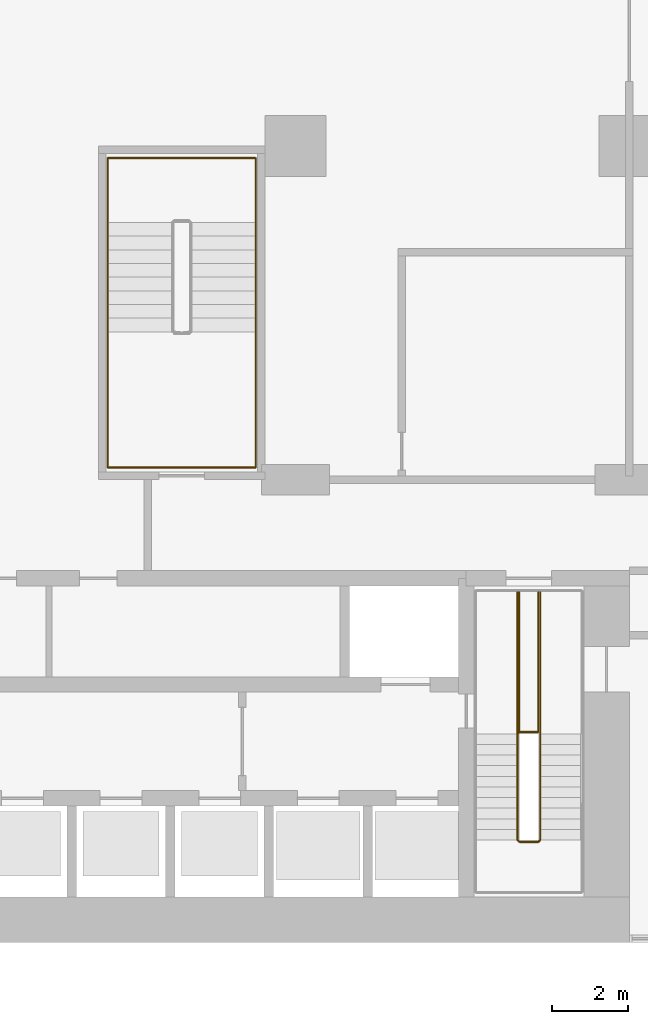
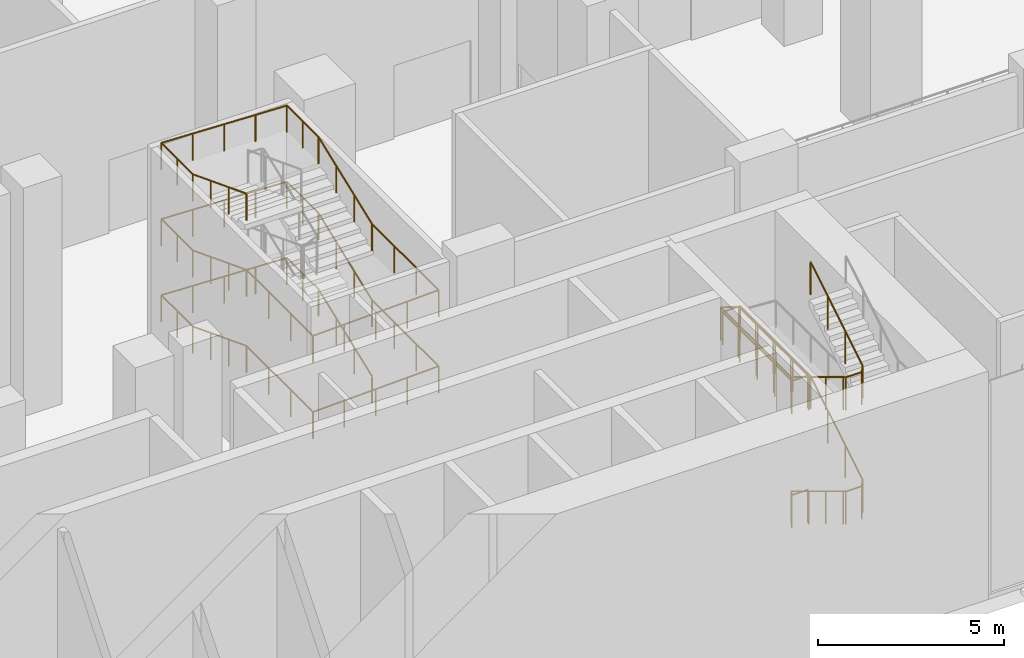
# One storey, part 33 of 41: 2 railings.
"""IFC4 building model written with IfcOpenShell, lengths in metres."""

import ifcopenshell
import ifcopenshell.guid

model = None  # the IFC model being written
_history = None  # IfcOwnerHistory: only IFC2X3 demands one
_inside = {}  # id of a spatial element -> (the spatial element, [elements in it])
_under = {}  # id of a project, library or spatial element -> (it, [spatial elements below it])
_declared = {}  # id of a project -> (the project, [libraries it declares])
_typed = {}  # id of a type object -> (the type object, [elements of that type])
_made_of = {}  # id of a material, layer set ... -> (it, [elements and type objects made of it])


def new_model(schema):
    """Start an empty IFC model of exactly this schema.

    Asked for "IFC4X3", IfcOpenShell would pick the latest addendum, in which some entities
    have other attributes; the version numbers below select the first issue.
    IFC2X3 requires an IfcOwnerHistory on every rooted entity: one is made here for all.
    """
    global model, _history
    if schema == "IFC4X3":
        model = ifcopenshell.file(schema_version=(4, 3, 0, 0))
    else:
        model = ifcopenshell.file(schema=schema)
    _inside.clear()
    _under.clear()
    _declared.clear()
    _typed.clear()
    _made_of.clear()
    _history = None
    if model.schema == "IFC2X3":
        org = make("IfcOrganization", Name="unknown")
        user = make(
            "IfcPersonAndOrganization",
            ThePerson=make("IfcPerson", FamilyName="unknown"),
            TheOrganization=org,
        )
        app = make(
            "IfcApplication",
            ApplicationDeveloper=org,
            Version="unknown",
            ApplicationFullName="unknown",
            ApplicationIdentifier="unknown",
        )
        _history = make(
            "IfcOwnerHistory",
            OwningUser=user,
            OwningApplication=app,
            ChangeAction="ADDED",
            CreationDate=0,
        )
    return model


def make(cls, **values):
    """One entity of the class cls with the attributes given. An attribute that is None is left unset."""
    return model.create_entity(
        cls, **{name: value for name, value in values.items() if value is not None}
    )


def rooted(cls, **values):
    """An entity with a GlobalId (a new one), such as an element, a storey or a relation."""
    return make(cls, GlobalId=ifcopenshell.guid.new(), OwnerHistory=_history, **values)


def si_unit(unit_type, name, prefix=None):
    """IfcSIUnit, for example si_unit("LENGTHUNIT", "METRE", prefix="MILLI")."""
    return make("IfcSIUnit", UnitType=unit_type, Prefix=prefix, Name=name)


def assignment(units):
    """IfcUnitAssignment: the units of a project."""
    return None if units is None else make("IfcUnitAssignment", Units=units)


def point(xyz):
    """IfcCartesianPoint."""
    return None if xyz is None else make("IfcCartesianPoint", Coordinates=xyz)


def direction(xyz):
    """IfcDirection."""
    return None if xyz is None else make("IfcDirection", DirectionRatios=xyz)


def frame(location, z_axis=None, x_axis=None):
    """IfcAxis2Placement3D, a coordinate frame: its origin and axes. An axis left out is left unset."""
    return make(
        "IfcAxis2Placement3D",
        Location=point(location),
        Axis=direction(z_axis),
        RefDirection=direction(x_axis),
    )


def frame_2d(location, x_axis=None):
    """IfcAxis2Placement2D, a coordinate frame in the plane: its origin and x axis."""
    return make(
        "IfcAxis2Placement2D", Location=point(location), RefDirection=direction(x_axis)
    )


def origin():
    """The frame at (0, 0, 0) with its axes left unset."""
    return frame((0.0, 0.0, 0.0))


def origin_2d():
    """The frame at (0, 0) in the plane with its x axis left unset."""
    return frame_2d((0.0, 0.0))


def place(relative_to, where):
    """IfcLocalPlacement: puts the frame where relative to a parent placement (None: the world)."""
    return make(
        "IfcLocalPlacement", PlacementRelTo=relative_to, RelativePlacement=where
    )


def context(
    kind, dimensions, precision=None, world=None, true_north=None, identifier=None
):
    """IfcGeometricRepresentationContext, for example the 3D "Model" context."""
    return make(
        "IfcGeometricRepresentationContext",
        ContextIdentifier=identifier,
        ContextType=kind,
        CoordinateSpaceDimension=dimensions,
        Precision=precision,
        WorldCoordinateSystem=world,
        TrueNorth=true_north,
    )


def subcontext(parent, identifier, kind, view, scale=None):
    """IfcGeometricRepresentationSubContext, for example "Body" below "Model"."""
    return make(
        "IfcGeometricRepresentationSubContext",
        ContextIdentifier=identifier,
        ContextType=kind,
        ParentContext=parent,
        TargetScale=scale,
        TargetView=view,
    )


def project(units=None, contexts=None):
    """IfcProject with its units and contexts."""
    return rooted(
        "IfcProject",
        Name="project",
        RepresentationContexts=contexts,
        UnitsInContext=assignment(units),
    )


def spatial(cls, under=None, at=None, **own):
    """A site, building, storey or space (cls), placed at a placement, below another one or the project."""
    s = rooted(cls, ObjectPlacement=at, **own)
    if under is not None:
        _under.setdefault(under.id(), (under, []))[1].append(s)
    return s


def profile(cls, at=None, kind="AREA", **sizes):
    """A parametric profile (cls). Its sizes go by their IFC names, for example OverallWidth=200.0."""
    return make(cls, ProfileType=kind, Position=at, **sizes)


def circle(**sizes):
    """IfcCircleProfileDef."""
    return profile("IfcCircleProfileDef", **sizes)


def extrude(swept, where, along, depth):
    """IfcExtrudedAreaSolid: the profile swept, set in the frame where, extruded along a direction by depth."""
    return make(
        "IfcExtrudedAreaSolid",
        SweptArea=swept,
        Position=where,
        ExtrudedDirection=direction(along),
        Depth=depth,
    )


def shape(context_of_items, identifier, shape_type, items):
    """IfcShapeRepresentation: the items that make up one representation, for example the "Body"."""
    return make(
        "IfcShapeRepresentation",
        ContextOfItems=context_of_items,
        RepresentationIdentifier=identifier,
        RepresentationType=shape_type,
        Items=items,
    )


def material(Name=None, Category=None):
    """IfcMaterial."""
    return make("IfcMaterial", Name=Name, Category=Category)


def made_of(thing, what):
    """Note that an element or type object is made of a material, layer set ...; save() writes the relation."""
    if what is not None:
        _made_of.setdefault(what.id(), (what, []))[1].append(thing)
    return thing


def type_object(cls, material=None, **own):
    """A type object (cls), such as IfcWallType, which elements share."""
    return made_of(rooted(cls, **own), material)


def element(
    cls,
    number,
    at=None,
    inside=None,
    cuts=None,
    type_object=None,
    material=None,
    context=None,
    identifier="Body",
    shape_type=None,
    held_by="IfcProductDefinitionShape",
    body=None,
    shapes=None,
    **own,
):
    """One element of the class cls, such as IfcWall. Its Tag is "e" and its number.

    at: its placement. inside: the storey or other place that contains it. cuts: it is an
    opening in that element (IfcRelVoidsElement). A single representation is given by context,
    identifier, shape_type and body (its items); several are given by shapes. held_by: the class
    of the entity that holds the representations. save() writes the other relations.
    """
    e = rooted(cls, Tag="e%d" % number, ObjectPlacement=at, **own)
    if body is not None:
        shapes = [shape(context, identifier, shape_type, body)]
    if shapes is not None:
        e.Representation = make(held_by, Representations=shapes)
    if inside is not None:
        _inside.setdefault(inside.id(), (inside, []))[1].append(e)
    if cuts is not None:
        rooted(
            "IfcRelVoidsElement", RelatingBuildingElement=cuts, RelatedOpeningElement=e
        )
    if type_object is not None:
        _typed.setdefault(type_object.id(), (type_object, []))[1].append(e)
    return made_of(e, material)


def aggregate(whole, parts):
    """IfcRelAggregates: a whole, such as a stair, and the parts it consists of."""
    return rooted("IfcRelAggregates", RelatingObject=whole, RelatedObjects=parts)


def save(model, path):
    """Write the relations noted so far, then the file.

    IfcRelAggregates (storeys below a building ...), IfcRelContainedInSpatialStructure (elements
    in a storey), IfcRelDefinesByType, IfcRelAssociatesMaterial and IfcRelDeclares: one each for
    every whole, place, type object, material and project.
    """
    for whole, parts in _under.values():
        aggregate(whole, parts)
    for where, things in _inside.values():
        rooted(
            "IfcRelContainedInSpatialStructure",
            RelatedElements=things,
            RelatingStructure=where,
        )
    for kind, things in _typed.values():
        rooted("IfcRelDefinesByType", RelatedObjects=things, RelatingType=kind)
    for what, things in _made_of.values():
        rooted("IfcRelAssociatesMaterial", RelatedObjects=things, RelatingMaterial=what)
    for by, libraries in _declared.values():
        rooted("IfcRelDeclares", RelatingContext=by, RelatedDefinitions=libraries)
    model.write(path)


model = new_model("IFC4")

# Units and contexts
model_context = context("Model", 3, precision=1e-05, world=origin(), true_north=direction((0.0, 1.0)))
body_context = subcontext(model_context, "Body", "Model", "MODEL_VIEW")
ifc_project = project(units=[si_unit("LENGTHUNIT", "METRE"), si_unit("AREAUNIT", "SQUARE_METRE"), si_unit("VOLUMEUNIT", "CUBIC_METRE"), si_unit("PLANEANGLEUNIT", "RADIAN"), si_unit("MASSUNIT", "GRAM", prefix="KILO")], contexts=[model_context])

# Site, building, storey
site_placement = place(None, origin())
site = spatial("IfcSite", under=ifc_project, at=site_placement, CompositionType="ELEMENT")
building_placement = place(site_placement, origin())
building = spatial("IfcBuilding", under=site, at=building_placement, Name="Kemantara Hotel Tower", CompositionType="ELEMENT")
storey_placement = place(building_placement, origin())
storey = spatial("IfcBuildingStorey", under=building, at=storey_placement, Name="L00", CompositionType="ELEMENT", Elevation=0.0)

# Railings
ifc_material = material(Name="Stainless steel balustrade", Category="steel")
railing_type_1 = type_object("IfcRailingType", Name="Stair guard 1100 mm", PredefinedType="GUARDRAIL", material=ifc_material)
railing_1_placement = place(storey_placement, frame((42.64990234375, 5.5, 7.5)))
element("IfcRailing", 1, at=railing_1_placement, inside=storey, type_object=railing_type_1, Name="L00 ST2 stair guard 1", PredefinedType="GUARDRAIL", context=body_context, shape_type="SweptSolid", body=[
    extrude(circle(Radius=0.02392578125, at=origin_2d()), frame((0.0, 0.0, 1.076171875), z_axis=(0.0, -0.854169791009, -0.51999420009), x_axis=(1.0, 0.0, 0.0)), (0.0, 0.0, 1.0), 3.278076171875),
    extrude(circle(Radius=0.02392578125, at=origin_2d()), frame((0.0, -2.800048828125, -0.62841796875), z_axis=(-0.270004540015, -0.271328091682, -0.923839063385), x_axis=(0.708833529934, -0.705375805398, 0.0)), (0.0, 0.0, 1.0), 0.1845703125),
    extrude(circle(Radius=0.02392578125, at=origin_2d()), frame((-0.0498046875, -2.85009765625, -0.798828125), z_axis=(-1.0, 0.0, 0.0), x_axis=(0.0, -1.0, 0.0)), (0.0, 0.0, 1.0), 0.5),
    extrude(circle(Radius=0.02392578125, at=origin_2d()), frame((-0.5498046875, -2.85009765625, -0.798828125), z_axis=(-0.707106781187, 0.707106781187, 0.0), x_axis=(-0.707106781187, -0.707106781187, 0.0)), (0.0, 0.0, 1.0), 0.07080078125),
    extrude(circle(Radius=0.02392578125, at=origin_2d()), frame((-0.599853515625, -2.800048828125, -0.798828125), z_axis=(0.0, 0.854169791009, -0.51999420009), x_axis=(-1.0, 0.0, 0.0)), (0.0, 0.0, 1.0), 3.278076171875),
    extrude(circle(Radius=0.02392578125, at=origin_2d()), frame((-0.599853515625, 0.0, -2.50341796875), z_axis=(0.0, 1.0, 0.0), x_axis=(-1.0, 0.0, 0.0)), (0.0, 0.0, 1.0), 3.780029296875),
    extrude(circle(Radius=0.02392578125, at=origin_2d()), frame((-0.599853515625, 3.780029296875, -2.50341796875), z_axis=(0.955208872194, 0.0, -0.295932442429), x_axis=(0.0, 1.0, 0.0)), (0.0, 0.0, 1.0), 0.575927734375),
    extrude(circle(Radius=0.02392578125, at=origin_2d()), frame((-0.0498046875, 3.780029296875, -2.673828125), z_axis=(0.0, -1.0, 0.0), x_axis=(1.0, 0.0, 0.0)), (0.0, 0.0, 1.0), 3.72998046875),
    extrude(circle(Radius=0.02392578125, at=origin_2d()), frame((-0.0498046875, 0.050048828125, -2.673828125), z_axis=(-1.0, 0.0, 0.0), x_axis=(0.0, -1.0, 0.0)), (0.0, 0.0, 1.0), 0.5),
    extrude(circle(Radius=0.02392578125, at=origin_2d()), frame((-0.5498046875, 0.050048828125, -2.673828125), z_axis=(0.0, 1.0, 0.0), x_axis=(-1.0, 0.0, 0.0)), (0.0, 0.0, 1.0), 3.72998046875),
    extrude(circle(Radius=0.02392578125, at=origin_2d()), frame((-0.5498046875, 3.780029296875, -2.673828125), z_axis=(1.0, 0.0, 0.0), x_axis=(0.0, 1.0, 0.0)), (0.0, 0.0, 1.0), 0.5498046875),
    extrude(circle(Radius=0.02392578125, at=origin_2d()), frame((0.0, 3.780029296875, -2.673828125), z_axis=(0.0, -1.0, 0.0), x_axis=(1.0, 0.0, 0.0)), (0.0, 0.0, 1.0), 3.780029296875),
    extrude(circle(Radius=0.02392578125, at=origin_2d()), frame((0.0, 0.0, -2.673828125), z_axis=(0.0, -0.854169791009, -0.51999420009), x_axis=(1.0, 0.0, 0.0)), (0.0, 0.0, 1.0), 3.278076171875),
    extrude(circle(Radius=0.02392578125, at=origin_2d()), frame((0.0, -2.800048828125, -4.37841796875), z_axis=(-0.270004540015, -0.271328091682, -0.923839063385), x_axis=(0.708833529934, -0.705375805398, 0.0)), (0.0, 0.0, 1.0), 0.1845703125),
    extrude(circle(Radius=0.02392578125, at=origin_2d()), frame((-0.0498046875, -2.85009765625, -4.548828125), z_axis=(-1.0, 0.0, 0.0), x_axis=(0.0, -1.0, 0.0)), (0.0, 0.0, 1.0), 0.5),
    extrude(circle(Radius=0.02392578125, at=origin_2d()), frame((-0.5498046875, -2.85009765625, -4.548828125), z_axis=(-0.707106781187, 0.707106781187, 0.0), x_axis=(-0.707106781187, -0.707106781187, 0.0)), (0.0, 0.0, 1.0), 0.07080078125),
    extrude(circle(Radius=0.02392578125, at=origin_2d()), frame((-0.599853515625, -2.800048828125, -4.548828125), z_axis=(0.0, 0.854169791009, -0.51999420009), x_axis=(-1.0, 0.0, 0.0)), (0.0, 0.0, 1.0), 3.278076171875),
    extrude(circle(Radius=0.02392578125, at=origin_2d()), frame((-0.599853515625, 0.0, -6.25341796875), z_axis=(0.271230943075, 0.271230943075, -0.923508284228), x_axis=(-0.707106781187, 0.707106781187, 0.0)), (0.0, 0.0, 1.0), 0.1845703125),
    extrude(circle(Radius=0.02392578125, at=origin_2d()), frame((-0.5498046875, 0.050048828125, -6.423828125), z_axis=(1.0, 0.0, 0.0), x_axis=(0.0, 1.0, 0.0)), (0.0, 0.0, 1.0), 0.5),
    extrude(circle(Radius=0.02099609375, at=origin_2d()), origin(), (0.0, 0.0, 1.0), 1.052001953125),
    extrude(circle(Radius=0.02099609375, at=origin_2d()), frame((0.0, -0.933349609375, -0.568115234375)), (0.0, 0.0, 1.0), 1.052001953125),
    extrude(circle(Radius=0.02099609375, at=origin_2d()), frame((0.0, -1.86669921875, -1.136474609375)), (0.0, 0.0, 1.0), 1.052001953125),
    extrude(circle(Radius=0.02099609375, at=origin_2d()), frame((0.0, -2.800048828125, -1.70458984375)), (0.0, 0.0, 1.0), 1.052001953125),
    extrude(circle(Radius=0.02099609375, at=origin_2d()), frame((-0.0498046875, -2.85009765625, -1.875)), (0.0, 0.0, 1.0), 1.052001953125),
    extrude(circle(Radius=0.02099609375, at=origin_2d()), frame((-0.5498046875, -2.85009765625, -1.875)), (0.0, 0.0, 1.0), 1.052001953125),
    extrude(circle(Radius=0.02099609375, at=origin_2d()), frame((-0.599853515625, -2.800048828125, -1.875)), (0.0, 0.0, 1.0), 1.052001953125),
    extrude(circle(Radius=0.02099609375, at=origin_2d()), frame((-0.599853515625, -1.86669921875, -2.443115234375)), (0.0, 0.0, 1.0), 1.052001953125),
    extrude(circle(Radius=0.02099609375, at=origin_2d()), frame((-0.599853515625, -0.933349609375, -3.011474609375)), (0.0, 0.0, 1.0), 1.052001953125),
    extrude(circle(Radius=0.02099609375, at=origin_2d()), frame((-0.599853515625, 0.0, -3.57958984375)), (0.0, 0.0, 1.0), 1.052001953125),
    extrude(circle(Radius=0.02099609375, at=origin_2d()), frame((-0.599853515625, 0.945068359375, -3.57958984375)), (0.0, 0.0, 1.0), 1.052001953125),
    extrude(circle(Radius=0.02099609375, at=origin_2d()), frame((-0.599853515625, 1.89013671875, -3.57958984375)), (0.0, 0.0, 1.0), 1.052001953125),
    extrude(circle(Radius=0.02099609375, at=origin_2d()), frame((-0.599853515625, 2.8349609375, -3.57958984375)), (0.0, 0.0, 1.0), 1.052001953125),
    extrude(circle(Radius=0.02099609375, at=origin_2d()), frame((-0.599853515625, 3.780029296875, -3.57958984375)), (0.0, 0.0, 1.0), 1.052001953125),
    extrude(circle(Radius=0.02099609375, at=origin_2d()), frame((-0.0498046875, 3.780029296875, -3.75)), (0.0, 0.0, 1.0), 1.052001953125),
    extrude(circle(Radius=0.02099609375, at=origin_2d()), frame((-0.0498046875, 2.84765625, -3.75)), (0.0, 0.0, 1.0), 1.052001953125),
    extrude(circle(Radius=0.02099609375, at=origin_2d()), frame((-0.0498046875, 1.9150390625, -3.75)), (0.0, 0.0, 1.0), 1.052001953125),
    extrude(circle(Radius=0.02099609375, at=origin_2d()), frame((-0.0498046875, 0.982421875, -3.75)), (0.0, 0.0, 1.0), 1.052001953125),
    extrude(circle(Radius=0.02099609375, at=origin_2d()), frame((-0.0498046875, 0.050048828125, -3.75)), (0.0, 0.0, 1.0), 1.052001953125),
    extrude(circle(Radius=0.02099609375, at=origin_2d()), frame((-0.5498046875, 0.050048828125, -3.75)), (0.0, 0.0, 1.0), 1.052001953125),
    extrude(circle(Radius=0.02099609375, at=origin_2d()), frame((-0.5498046875, 0.982421875, -3.75)), (0.0, 0.0, 1.0), 1.052001953125),
    extrude(circle(Radius=0.02099609375, at=origin_2d()), frame((-0.5498046875, 1.9150390625, -3.75)), (0.0, 0.0, 1.0), 1.052001953125),
    extrude(circle(Radius=0.02099609375, at=origin_2d()), frame((-0.5498046875, 2.84765625, -3.75)), (0.0, 0.0, 1.0), 1.052001953125),
    extrude(circle(Radius=0.02099609375, at=origin_2d()), frame((-0.5498046875, 3.780029296875, -3.75)), (0.0, 0.0, 1.0), 1.052001953125),
    extrude(circle(Radius=0.02099609375, at=origin_2d()), frame((0.0, 3.780029296875, -3.75)), (0.0, 0.0, 1.0), 1.052001953125),
    extrude(circle(Radius=0.02099609375, at=origin_2d()), frame((0.0, 2.8349609375, -3.75)), (0.0, 0.0, 1.0), 1.052001953125),
    extrude(circle(Radius=0.02099609375, at=origin_2d()), frame((0.0, 1.89013671875, -3.75)), (0.0, 0.0, 1.0), 1.052001953125),
    extrude(circle(Radius=0.02099609375, at=origin_2d()), frame((0.0, 0.945068359375, -3.75)), (0.0, 0.0, 1.0), 1.052001953125),
    extrude(circle(Radius=0.02099609375, at=origin_2d()), frame((0.0, 0.0, -3.75)), (0.0, 0.0, 1.0), 1.052001953125),
    extrude(circle(Radius=0.02099609375, at=origin_2d()), frame((0.0, -0.933349609375, -4.318115234375)), (0.0, 0.0, 1.0), 1.052001953125),
    extrude(circle(Radius=0.02099609375, at=origin_2d()), frame((0.0, -1.86669921875, -4.886474609375)), (0.0, 0.0, 1.0), 1.052001953125),
    extrude(circle(Radius=0.02099609375, at=origin_2d()), frame((0.0, -2.800048828125, -5.45458984375)), (0.0, 0.0, 1.0), 1.052001953125),
    extrude(circle(Radius=0.02099609375, at=origin_2d()), frame((-0.0498046875, -2.85009765625, -5.625)), (0.0, 0.0, 1.0), 1.052001953125),
    extrude(circle(Radius=0.02099609375, at=origin_2d()), frame((-0.5498046875, -2.85009765625, -5.625)), (0.0, 0.0, 1.0), 1.052001953125),
    extrude(circle(Radius=0.02099609375, at=origin_2d()), frame((-0.599853515625, -2.800048828125, -5.625)), (0.0, 0.0, 1.0), 1.052001953125),
    extrude(circle(Radius=0.02099609375, at=origin_2d()), frame((-0.599853515625, -1.86669921875, -6.193115234375)), (0.0, 0.0, 1.0), 1.052001953125),
    extrude(circle(Radius=0.02099609375, at=origin_2d()), frame((-0.599853515625, -0.933349609375, -6.761474609375)), (0.0, 0.0, 1.0), 1.052001953125),
    extrude(circle(Radius=0.02099609375, at=origin_2d()), frame((-0.599853515625, 0.0, -7.32958984375)), (0.0, 0.0, 1.0), 1.052001953125),
    extrude(circle(Radius=0.02099609375, at=origin_2d()), frame((-0.5498046875, 0.050048828125, -7.5)), (0.0, 0.0, 1.0), 1.052001953125),
    extrude(circle(Radius=0.02099609375, at=origin_2d()), frame((-0.0498046875, 0.050048828125, -7.5)), (0.0, 0.0, 1.0), 1.052001953125),
])
railing_type_2 = type_object("IfcRailingType", Name="Stair handrail 900 mm", PredefinedType="HANDRAIL", material=ifc_material)
railing_2_placement = place(storey_placement, frame((35.14990234375, 16.10009765625, 0.138916015625)))
element("IfcRailing", 2, at=railing_2_placement, inside=storey, type_object=railing_type_2, Name="L00 PS3 stair handrail 1", PredefinedType="HANDRAIL", context=body_context, shape_type="SweptSolid", body=[
    extrude(circle(Radius=0.02392578125, at=origin_2d()), frame((0.0, 0.0, 0.8759765625), z_axis=(0.0, 0.932972064118, 0.359948784656), x_axis=(-1.0, 0.0, 0.0)), (0.0, 0.0, 1.0), 3.086669921875),
    extrude(circle(Radius=0.02392578125, at=origin_2d()), frame((0.0, 2.8798828125, 1.98681640625), z_axis=(0.0, 1.0, 0.0), x_axis=(-1.0, 0.0, 0.0)), (0.0, 0.0, 1.0), 1.699951171875),
    extrude(circle(Radius=0.02392578125, at=origin_2d()), frame((0.0, 4.579833984375, 1.98681640625), z_axis=(-0.999366197222, 0.0, 0.035597806825), x_axis=(0.0, -1.0, 0.0)), (0.0, 0.0, 1.0), 3.90234375),
    extrude(circle(Radius=0.02392578125, at=origin_2d()), frame((-3.89990234375, 4.579833984375, 2.1259765625), z_axis=(0.0, -1.0, 0.0), x_axis=(1.0, 0.0, 0.0)), (0.0, 0.0, 1.0), 1.699951171875),
    extrude(circle(Radius=0.02392578125, at=origin_2d()), frame((-3.89990234375, 2.8798828125, 2.1259765625), z_axis=(0.0, -0.932972064118, 0.359948784656), x_axis=(1.0, 0.0, 0.0)), (0.0, 0.0, 1.0), 3.086669921875),
    extrude(circle(Radius=0.02392578125, at=origin_2d()), frame((-3.89990234375, 0.0, 3.23681640625), z_axis=(0.0, -1.0, 0.0), x_axis=(1.0, 0.0, 0.0)), (0.0, 0.0, 1.0), 3.580078125),
    extrude(circle(Radius=0.02392578125, at=origin_2d()), frame((-3.89990234375, -3.580078125, 3.23681640625), z_axis=(0.999366197222, 0.0, 0.035597806825), x_axis=(0.0, 1.0, 0.0)), (0.0, 0.0, 1.0), 3.90234375),
    extrude(circle(Radius=0.02392578125, at=origin_2d()), frame((0.0, -3.580078125, 3.3759765625), z_axis=(0.0, 1.0, 0.0), x_axis=(-1.0, 0.0, 0.0)), (0.0, 0.0, 1.0), 3.580078125),
    extrude(circle(Radius=0.02392578125, at=origin_2d()), frame((0.0, 0.0, 3.3759765625), z_axis=(0.0, 0.932972064118, 0.359948784656), x_axis=(-1.0, 0.0, 0.0)), (0.0, 0.0, 1.0), 3.086669921875),
    extrude(circle(Radius=0.02392578125, at=origin_2d()), frame((0.0, 2.8798828125, 4.48681640625), z_axis=(0.0, 1.0, 0.0), x_axis=(-1.0, 0.0, 0.0)), (0.0, 0.0, 1.0), 1.699951171875),
    extrude(circle(Radius=0.02392578125, at=origin_2d()), frame((0.0, 4.579833984375, 4.48681640625), z_axis=(-0.999366197222, 0.0, 0.035597806825), x_axis=(0.0, -1.0, 0.0)), (0.0, 0.0, 1.0), 3.90234375),
    extrude(circle(Radius=0.02392578125, at=origin_2d()), frame((-3.89990234375, 4.579833984375, 4.6259765625), z_axis=(0.0, -1.0, 0.0), x_axis=(1.0, 0.0, 0.0)), (0.0, 0.0, 1.0), 1.699951171875),
    extrude(circle(Radius=0.02392578125, at=origin_2d()), frame((-3.89990234375, 2.8798828125, 4.6259765625), z_axis=(0.0, -0.932972064118, 0.359948784656), x_axis=(1.0, 0.0, 0.0)), (0.0, 0.0, 1.0), 3.086669921875),
    extrude(circle(Radius=0.02392578125, at=origin_2d()), frame((-3.89990234375, 0.0, 5.73681640625), z_axis=(0.0, -1.0, 0.0), x_axis=(1.0, 0.0, 0.0)), (0.0, 0.0, 1.0), 3.580078125),
    extrude(circle(Radius=0.02392578125, at=origin_2d()), frame((-3.89990234375, -3.580078125, 5.73681640625), z_axis=(0.999366197222, 0.0, 0.035597806825), x_axis=(0.0, 1.0, 0.0)), (0.0, 0.0, 1.0), 3.90234375),
    extrude(circle(Radius=0.02392578125, at=origin_2d()), frame((0.0, -3.580078125, 5.8759765625), z_axis=(0.0, 1.0, 0.0), x_axis=(-1.0, 0.0, 0.0)), (0.0, 0.0, 1.0), 3.580078125),
    extrude(circle(Radius=0.02392578125, at=origin_2d()), frame((0.0, 0.0, 5.8759765625), z_axis=(0.0, 0.932972064118, 0.359948784656), x_axis=(-1.0, 0.0, 0.0)), (0.0, 0.0, 1.0), 3.086669921875),
    extrude(circle(Radius=0.02392578125, at=origin_2d()), frame((0.0, 2.8798828125, 6.98681640625), z_axis=(0.0, 1.0, 0.0), x_axis=(-1.0, 0.0, 0.0)), (0.0, 0.0, 1.0), 1.699951171875),
    extrude(circle(Radius=0.02392578125, at=origin_2d()), frame((0.0, 4.579833984375, 6.98681640625), z_axis=(-0.999366197222, 0.0, 0.035597806825), x_axis=(0.0, -1.0, 0.0)), (0.0, 0.0, 1.0), 3.90234375),
    extrude(circle(Radius=0.02392578125, at=origin_2d()), frame((-3.89990234375, 4.579833984375, 7.1259765625), z_axis=(0.0, -1.0, 0.0), x_axis=(1.0, 0.0, 0.0)), (0.0, 0.0, 1.0), 1.699951171875),
    extrude(circle(Radius=0.02392578125, at=origin_2d()), frame((-3.89990234375, 2.8798828125, 7.1259765625), z_axis=(0.0, -0.932972064118, 0.359948784656), x_axis=(1.0, 0.0, 0.0)), (0.0, 0.0, 1.0), 3.086669921875),
    extrude(circle(Radius=0.02099609375, at=origin_2d()), origin(), (0.0, 0.0, 1.0), 0.851806640625),
    extrude(circle(Radius=0.02099609375, at=origin_2d()), frame((0.0, 0.9599609375, 0.370361328125)), (0.0, 0.0, 1.0), 0.851806640625),
    extrude(circle(Radius=0.02099609375, at=origin_2d()), frame((0.0, 1.919921875, 0.74072265625)), (0.0, 0.0, 1.0), 0.851806640625),
    extrude(circle(Radius=0.02099609375, at=origin_2d()), frame((0.0, 2.8798828125, 1.111083984375)), (0.0, 0.0, 1.0), 0.851806640625),
    extrude(circle(Radius=0.02099609375, at=origin_2d()), frame((0.0, 3.72998046875, 1.111083984375)), (0.0, 0.0, 1.0), 0.851806640625),
    extrude(circle(Radius=0.02099609375, at=origin_2d()), frame((0.0, 4.579833984375, 1.111083984375)), (0.0, 0.0, 1.0), 0.851806640625),
    extrude(circle(Radius=0.02099609375, at=origin_2d()), frame((-0.97509765625, 4.579833984375, 1.145751953125)), (0.0, 0.0, 1.0), 0.851806640625),
    extrude(circle(Radius=0.02099609375, at=origin_2d()), frame((-1.949951171875, 4.579833984375, 1.1806640625)), (0.0, 0.0, 1.0), 0.851806640625),
    extrude(circle(Radius=0.02099609375, at=origin_2d()), frame((-2.9248046875, 4.579833984375, 1.21533203125)), (0.0, 0.0, 1.0), 0.851806640625),
    extrude(circle(Radius=0.02099609375, at=origin_2d()), frame((-3.89990234375, 4.579833984375, 1.25)), (0.0, 0.0, 1.0), 0.851806640625),
    extrude(circle(Radius=0.02099609375, at=origin_2d()), frame((-3.89990234375, 3.72998046875, 1.25)), (0.0, 0.0, 1.0), 0.851806640625),
    extrude(circle(Radius=0.02099609375, at=origin_2d()), frame((-3.89990234375, 2.8798828125, 1.25)), (0.0, 0.0, 1.0), 0.851806640625),
    extrude(circle(Radius=0.02099609375, at=origin_2d()), frame((-3.89990234375, 1.919921875, 1.620361328125)), (0.0, 0.0, 1.0), 0.851806640625),
    extrude(circle(Radius=0.02099609375, at=origin_2d()), frame((-3.89990234375, 0.9599609375, 1.99072265625)), (0.0, 0.0, 1.0), 0.851806640625),
    extrude(circle(Radius=0.02099609375, at=origin_2d()), frame((-3.89990234375, 0.0, 2.361083984375)), (0.0, 0.0, 1.0), 0.851806640625),
    extrude(circle(Radius=0.02099609375, at=origin_2d()), frame((-3.89990234375, -1.193359375, 2.361083984375)), (0.0, 0.0, 1.0), 0.851806640625),
    extrude(circle(Radius=0.02099609375, at=origin_2d()), frame((-3.89990234375, -2.38671875, 2.361083984375)), (0.0, 0.0, 1.0), 0.851806640625),
    extrude(circle(Radius=0.02099609375, at=origin_2d()), frame((-3.89990234375, -3.580078125, 2.361083984375)), (0.0, 0.0, 1.0), 0.851806640625),
    extrude(circle(Radius=0.02099609375, at=origin_2d()), frame((-2.9248046875, -3.580078125, 2.395751953125)), (0.0, 0.0, 1.0), 0.851806640625),
    extrude(circle(Radius=0.02099609375, at=origin_2d()), frame((-1.949951171875, -3.580078125, 2.4306640625)), (0.0, 0.0, 1.0), 0.851806640625),
    extrude(circle(Radius=0.02099609375, at=origin_2d()), frame((-0.97509765625, -3.580078125, 2.46533203125)), (0.0, 0.0, 1.0), 0.851806640625),
    extrude(circle(Radius=0.02099609375, at=origin_2d()), frame((0.0, -3.580078125, 2.5)), (0.0, 0.0, 1.0), 0.851806640625),
    extrude(circle(Radius=0.02099609375, at=origin_2d()), frame((0.0, -2.38671875, 2.5)), (0.0, 0.0, 1.0), 0.851806640625),
    extrude(circle(Radius=0.02099609375, at=origin_2d()), frame((0.0, -1.193359375, 2.5)), (0.0, 0.0, 1.0), 0.851806640625),
    extrude(circle(Radius=0.02099609375, at=origin_2d()), frame((0.0, 0.0, 2.5)), (0.0, 0.0, 1.0), 0.851806640625),
    extrude(circle(Radius=0.02099609375, at=origin_2d()), frame((0.0, 0.9599609375, 2.870361328125)), (0.0, 0.0, 1.0), 0.851806640625),
    extrude(circle(Radius=0.02099609375, at=origin_2d()), frame((0.0, 1.919921875, 3.24072265625)), (0.0, 0.0, 1.0), 0.851806640625),
    extrude(circle(Radius=0.02099609375, at=origin_2d()), frame((0.0, 2.8798828125, 3.611083984375)), (0.0, 0.0, 1.0), 0.851806640625),
    extrude(circle(Radius=0.02099609375, at=origin_2d()), frame((0.0, 3.72998046875, 3.611083984375)), (0.0, 0.0, 1.0), 0.851806640625),
    extrude(circle(Radius=0.02099609375, at=origin_2d()), frame((0.0, 4.579833984375, 3.611083984375)), (0.0, 0.0, 1.0), 0.851806640625),
    extrude(circle(Radius=0.02099609375, at=origin_2d()), frame((-0.97509765625, 4.579833984375, 3.645751953125)), (0.0, 0.0, 1.0), 0.851806640625),
    extrude(circle(Radius=0.02099609375, at=origin_2d()), frame((-1.949951171875, 4.579833984375, 3.6806640625)), (0.0, 0.0, 1.0), 0.851806640625),
    extrude(circle(Radius=0.02099609375, at=origin_2d()), frame((-2.9248046875, 4.579833984375, 3.71533203125)), (0.0, 0.0, 1.0), 0.851806640625),
    extrude(circle(Radius=0.02099609375, at=origin_2d()), frame((-3.89990234375, 4.579833984375, 3.75)), (0.0, 0.0, 1.0), 0.851806640625),
    extrude(circle(Radius=0.02099609375, at=origin_2d()), frame((-3.89990234375, 3.72998046875, 3.75)), (0.0, 0.0, 1.0), 0.851806640625),
    extrude(circle(Radius=0.02099609375, at=origin_2d()), frame((-3.89990234375, 2.8798828125, 3.75)), (0.0, 0.0, 1.0), 0.851806640625),
    extrude(circle(Radius=0.02099609375, at=origin_2d()), frame((-3.89990234375, 1.919921875, 4.120361328125)), (0.0, 0.0, 1.0), 0.851806640625),
    extrude(circle(Radius=0.02099609375, at=origin_2d()), frame((-3.89990234375, 0.9599609375, 4.49072265625)), (0.0, 0.0, 1.0), 0.851806640625),
    extrude(circle(Radius=0.02099609375, at=origin_2d()), frame((-3.89990234375, 0.0, 4.861083984375)), (0.0, 0.0, 1.0), 0.851806640625),
    extrude(circle(Radius=0.02099609375, at=origin_2d()), frame((-3.89990234375, -1.193359375, 4.861083984375)), (0.0, 0.0, 1.0), 0.851806640625),
    extrude(circle(Radius=0.02099609375, at=origin_2d()), frame((-3.89990234375, -2.38671875, 4.861083984375)), (0.0, 0.0, 1.0), 0.851806640625),
    extrude(circle(Radius=0.02099609375, at=origin_2d()), frame((-3.89990234375, -3.580078125, 4.861083984375)), (0.0, 0.0, 1.0), 0.851806640625),
    extrude(circle(Radius=0.02099609375, at=origin_2d()), frame((-2.9248046875, -3.580078125, 4.895751953125)), (0.0, 0.0, 1.0), 0.851806640625),
    extrude(circle(Radius=0.02099609375, at=origin_2d()), frame((-1.949951171875, -3.580078125, 4.9306640625)), (0.0, 0.0, 1.0), 0.851806640625),
    extrude(circle(Radius=0.02099609375, at=origin_2d()), frame((-0.97509765625, -3.580078125, 4.96533203125)), (0.0, 0.0, 1.0), 0.851806640625),
    extrude(circle(Radius=0.02099609375, at=origin_2d()), frame((0.0, -3.580078125, 5.0)), (0.0, 0.0, 1.0), 0.851806640625),
    extrude(circle(Radius=0.02099609375, at=origin_2d()), frame((0.0, -2.38671875, 5.0)), (0.0, 0.0, 1.0), 0.851806640625),
    extrude(circle(Radius=0.02099609375, at=origin_2d()), frame((0.0, -1.193359375, 5.0)), (0.0, 0.0, 1.0), 0.851806640625),
    extrude(circle(Radius=0.02099609375, at=origin_2d()), frame((0.0, 0.0, 5.0)), (0.0, 0.0, 1.0), 0.851806640625),
    extrude(circle(Radius=0.02099609375, at=origin_2d()), frame((0.0, 0.9599609375, 5.370361328125)), (0.0, 0.0, 1.0), 0.851806640625),
    extrude(circle(Radius=0.02099609375, at=origin_2d()), frame((0.0, 1.919921875, 5.74072265625)), (0.0, 0.0, 1.0), 0.851806640625),
    extrude(circle(Radius=0.02099609375, at=origin_2d()), frame((0.0, 2.8798828125, 6.111083984375)), (0.0, 0.0, 1.0), 0.851806640625),
    extrude(circle(Radius=0.02099609375, at=origin_2d()), frame((0.0, 3.72998046875, 6.111083984375)), (0.0, 0.0, 1.0), 0.851806640625),
    extrude(circle(Radius=0.02099609375, at=origin_2d()), frame((0.0, 4.579833984375, 6.111083984375)), (0.0, 0.0, 1.0), 0.851806640625),
    extrude(circle(Radius=0.02099609375, at=origin_2d()), frame((-0.97509765625, 4.579833984375, 6.145751953125)), (0.0, 0.0, 1.0), 0.851806640625),
    extrude(circle(Radius=0.02099609375, at=origin_2d()), frame((-1.949951171875, 4.579833984375, 6.1806640625)), (0.0, 0.0, 1.0), 0.851806640625),
    extrude(circle(Radius=0.02099609375, at=origin_2d()), frame((-2.9248046875, 4.579833984375, 6.21533203125)), (0.0, 0.0, 1.0), 0.851806640625),
    extrude(circle(Radius=0.02099609375, at=origin_2d()), frame((-3.89990234375, 4.579833984375, 6.25)), (0.0, 0.0, 1.0), 0.851806640625),
    extrude(circle(Radius=0.02099609375, at=origin_2d()), frame((-3.89990234375, 3.72998046875, 6.25)), (0.0, 0.0, 1.0), 0.851806640625),
    extrude(circle(Radius=0.02099609375, at=origin_2d()), frame((-3.89990234375, 2.8798828125, 6.25)), (0.0, 0.0, 1.0), 0.851806640625),
    extrude(circle(Radius=0.02099609375, at=origin_2d()), frame((-3.89990234375, 1.919921875, 6.620361328125)), (0.0, 0.0, 1.0), 0.851806640625),
    extrude(circle(Radius=0.02099609375, at=origin_2d()), frame((-3.89990234375, 0.9599609375, 6.99072265625)), (0.0, 0.0, 1.0), 0.851806640625),
    extrude(circle(Radius=0.02099609375, at=origin_2d()), frame((-3.89990234375, 0.0, 7.361083984375)), (0.0, 0.0, 1.0), 0.851806640625),
])

save(model, "model.ifc")
